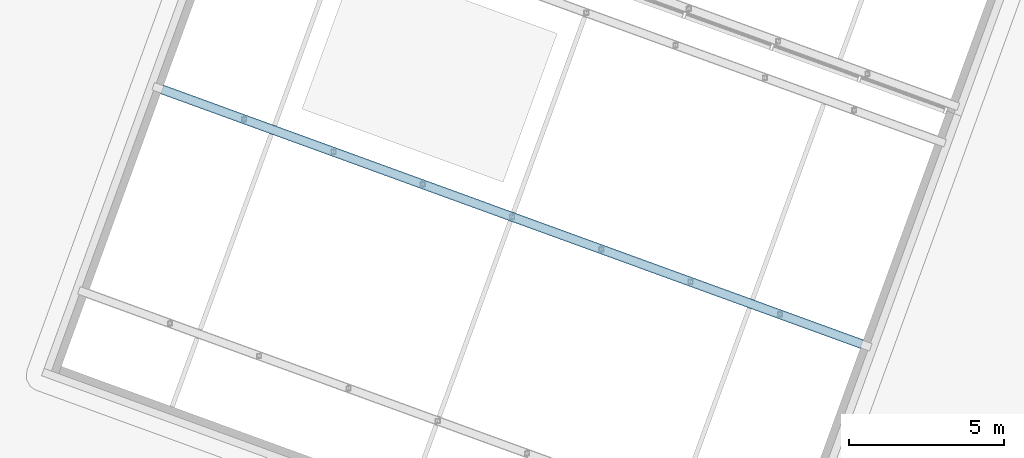
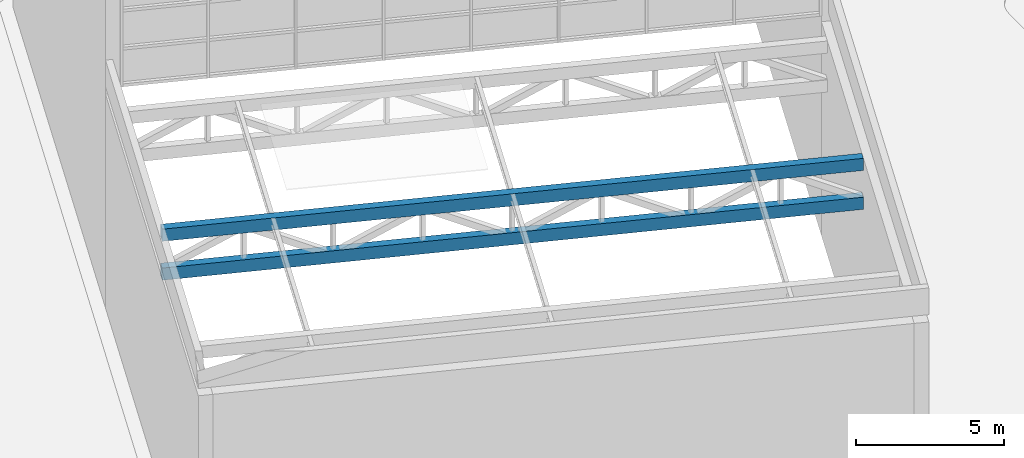
# One storey, part 27 of 72: 2 members.
"""IFC4 building model written with IfcOpenShell, lengths in metres."""

from ifc_helpers import new_model, si_unit, direction, frame, origin, origin_2d, place, context, subcontext, project, spatial, hollow_rectangle, extrude, material, material_profile, profile_set, type_object, element, save


model = new_model("IFC4")

# Units and contexts
model_context = context("Model", 3, precision=1e-05, world=origin(), true_north=direction((0.0, 1.0)))
body_context = subcontext(model_context, "Body", "Model", "MODEL_VIEW")
ifc_project = project(units=[si_unit("LENGTHUNIT", "METRE"), si_unit("AREAUNIT", "SQUARE_METRE"), si_unit("VOLUMEUNIT", "CUBIC_METRE"), si_unit("PLANEANGLEUNIT", "RADIAN"), si_unit("MASSUNIT", "GRAM", prefix="KILO")], contexts=[model_context])

# Site, building, storey
site_placement = place(None, origin())
site = spatial("IfcSite", under=ifc_project, at=site_placement, CompositionType="ELEMENT")
building_placement = place(site_placement, origin())
building = spatial("IfcBuilding", under=site, at=building_placement, Name="Nzadi Deep Aquarium and Research Tower", CompositionType="ELEMENT")
storey_placement = place(building_placement, frame((0.0, 0.0, 31.89990234375)))
storey = spatial("IfcBuildingStorey", under=building, at=storey_placement, Name="L05", CompositionType="ELEMENT", Elevation=31.89990234375)

# Members
ifc_material = material(Name="Steel S355", Category="steel")
ifc_material_profile = material_profile(ifc_material, hollow_rectangle(XDim=0.300048828125, YDim=0.5, WallThickness=0.01611328125, at=origin_2d()))
ifc_profile_set = profile_set([ifc_material_profile], Name="Steel S355")
member_type = type_object("IfcMemberType", Name="RHS 500x300x16 chord", PredefinedType="CHORD", material=ifc_profile_set)
for number, where, z_axis, x_axis, name in (
    (1, (14.78759765625, 66.78662109375, 8.550048828125), (0.939691804709, -0.342022385471, 0.0), (0.342022385471, 0.939691804709, 0.0), "MB-PR-R1-T2-TOP"),
    (2, (14.78759765625, 66.78662109375, 6.9501953125), (0.939691804709, -0.342022385471, 0.0), (0.342022385471, 0.939691804709, 0.0), "MB-PR-R1-T2-BOT"),
):
    element("IfcMember", number, at=place(storey_placement, frame(where, z_axis=z_axis, x_axis=x_axis)), inside=storey, type_object=member_type, Name=name, PredefinedType="CHORD", context=body_context, shape_type="SweptSolid", body=[
        extrude(hollow_rectangle(XDim=0.300048828125, YDim=0.5, WallThickness=0.01611328125, at=origin_2d()), origin(), (0.0, 0.0, 1.0), 24.0),
    ])

save(model, "model.ifc")
